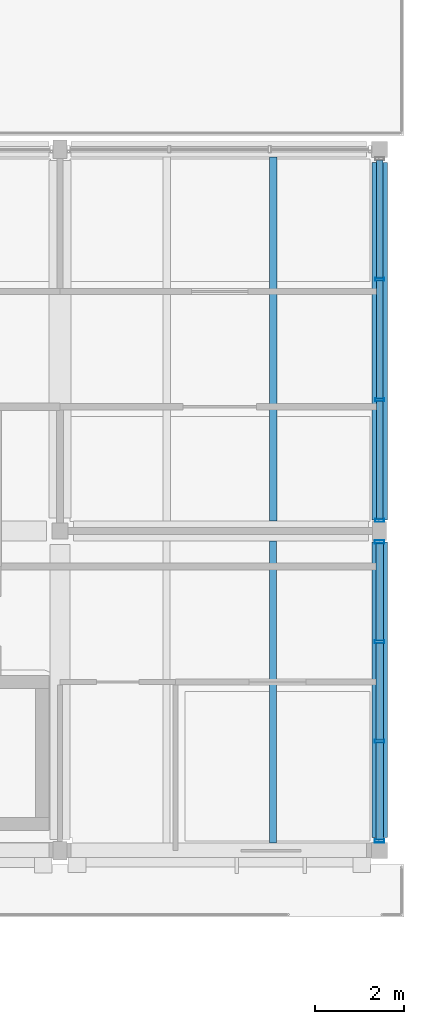
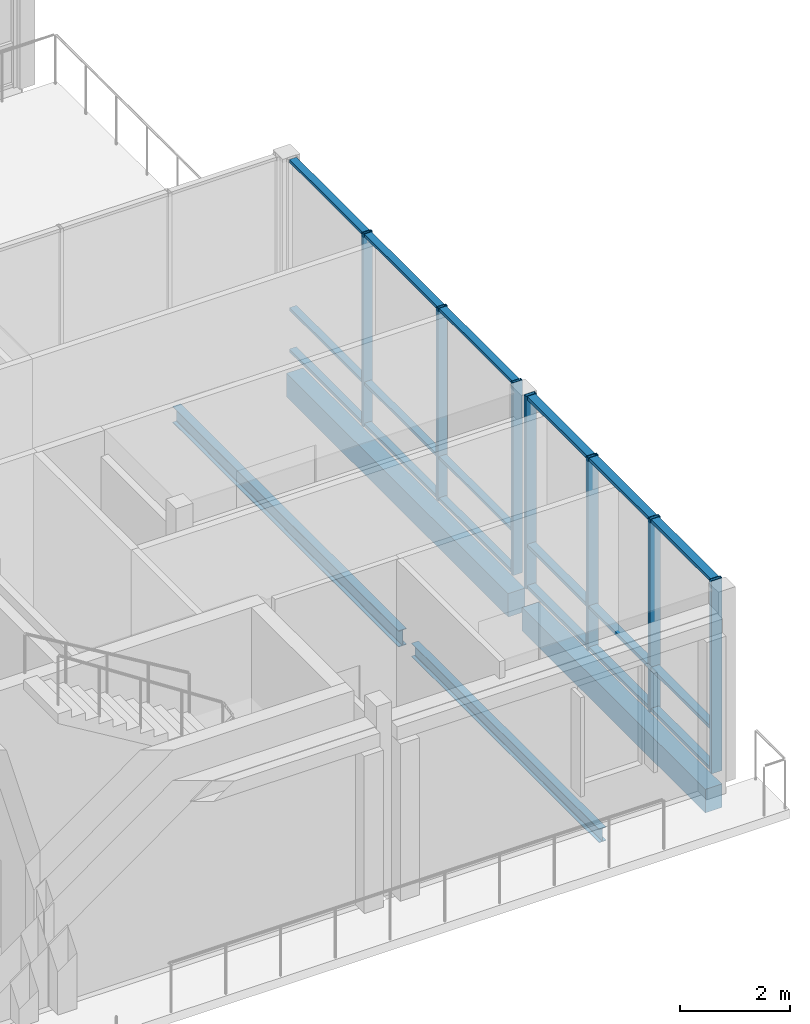
# One storey, part 87 of 146: 25 members, 4 beams, 2 elements without a shape of their own.
"""IFC4 building model written with IfcOpenShell, lengths in metres."""

from ifc_helpers import new_model, si_unit, direction, frame, origin, origin_2d, place, context, subcontext, project, spatial, rectangle, hollow_rectangle, i_section, extrude, material, material_profile, profile_set, type_object, element, aggregate, save


model = new_model("IFC4")

# Units and contexts
model_context = context("Model", 3, precision=1e-05, world=origin(), true_north=direction((0.0, 1.0)))
body_context = subcontext(model_context, "Body", "Model", "MODEL_VIEW")
ifc_project = project(units=[si_unit("LENGTHUNIT", "METRE"), si_unit("AREAUNIT", "SQUARE_METRE"), si_unit("VOLUMEUNIT", "CUBIC_METRE"), si_unit("PLANEANGLEUNIT", "RADIAN"), si_unit("MASSUNIT", "GRAM", prefix="KILO")], contexts=[model_context])

# Site, building, storey
site_placement = place(None, origin())
site = spatial("IfcSite", under=ifc_project, at=site_placement, CompositionType="ELEMENT")
building_placement = place(site_placement, origin())
building = spatial("IfcBuilding", under=site, at=building_placement, Name="Hawrajan Terrace Health Centre", CompositionType="ELEMENT")
storey_placement = place(building_placement, frame((0.0, 0.0, 4.5)))
storey = spatial("IfcBuildingStorey", under=building, at=storey_placement, Name="L01", CompositionType="ELEMENT", Elevation=4.5)

# Curtain wall, members
ifc_material_1 = material(Name="Anodized bronze aluminium and low-E solar glazing", Category="aluminium")
curtain_wall_type_1 = type_object("IfcCurtainWallType", Name="CW_Clerestory_SeriesG1", PredefinedType="USERDEFINED", material=ifc_material_1)
curtain_wall_1_placement = place(storey_placement, origin())
curtain_wall_1 = element("IfcCurtainWall", 1, at=curtain_wall_1_placement, inside=storey, type_object=curtain_wall_type_1, Name="Curtain wall CW-L01-112", ObjectType="UNITISED CURTAIN WALL", PredefinedType="USERDEFINED")
ifc_material_2 = material(Name="Anodized bronze aluminium 6063-T6", Category="aluminium")
ifc_material_profile_1 = material_profile(ifc_material_2, hollow_rectangle(XDim=0.06494140625, YDim=0.199951171875, WallThickness=0.00439453125, at=origin_2d()), Name="CW MUL 65x200")
ifc_profile_set_1 = profile_set([ifc_material_profile_1], Name="Anodized bronze aluminium 6063-T6")
member_type_1 = type_object("IfcMemberType", Name="CWMullion_65x200", PredefinedType="MULLION", material=ifc_profile_set_1)
member_1_placement = place(storey_placement, frame((165.39990234375, 18.842529296875, -0.0048828125), z_axis=(0.0, 0.0, 1.0), x_axis=(0.0, 1.0, 0.0)))
member_1 = element("IfcMember", 2, at=member_1_placement, type_object=member_type_1, Name="Mullion CW-L01-112-M1", PredefinedType="MULLION", context=body_context, shape_type="SweptSolid", body=[
    extrude(hollow_rectangle(XDim=0.06494140625, YDim=0.199951171875, WallThickness=0.00439453125, at=origin_2d()), origin(), (0.0, 0.0, 1.0), 4.269775390625),
])
member_2_placement = place(storey_placement, frame((165.39990234375, 21.5576171875, -0.0048828125), z_axis=(0.0, 0.0, 1.0), x_axis=(0.0, 1.0, 0.0)))
member_2 = element("IfcMember", 3, at=member_2_placement, type_object=member_type_1, Name="Mullion CW-L01-112-M2", PredefinedType="MULLION", context=body_context, shape_type="SweptSolid", body=[
    extrude(hollow_rectangle(XDim=0.06494140625, YDim=0.199951171875, WallThickness=0.00439453125, at=origin_2d()), origin(), (0.0, 0.0, 1.0), 4.269775390625),
])
member_3_placement = place(storey_placement, frame((165.39990234375, 24.2724609375, -0.0048828125), z_axis=(0.0, 0.0, 1.0), x_axis=(0.0, 1.0, 0.0)))
member_3 = element("IfcMember", 4, at=member_3_placement, type_object=member_type_1, Name="Mullion CW-L01-112-M3", PredefinedType="MULLION", context=body_context, shape_type="SweptSolid", body=[
    extrude(hollow_rectangle(XDim=0.06494140625, YDim=0.199951171875, WallThickness=0.00439453125, at=origin_2d()), origin(), (0.0, 0.0, 1.0), 4.269775390625),
])

curtain_wall_type_2 = type_object("IfcCurtainWallType", Name="CW_Garden_SeriesF1", PredefinedType="USERDEFINED", material=ifc_material_1)
curtain_wall_2_placement = place(storey_placement, origin())
curtain_wall_2 = element("IfcCurtainWall", 5, at=curtain_wall_2_placement, inside=storey, type_object=curtain_wall_type_2, Name="Curtain wall CW-L01-110", ObjectType="UNITISED CURTAIN WALL", PredefinedType="USERDEFINED")
ifc_material_profile_2 = material_profile(ifc_material_2, hollow_rectangle(XDim=0.074951171875, YDim=0.219970703125, WallThickness=0.0048828125, at=origin_2d()), Name="CW MUL 75x220")
ifc_profile_set_2 = profile_set([ifc_material_profile_2], Name="Anodized bronze aluminium 6063-T6")
member_type_2 = type_object("IfcMemberType", Name="CWMullion_75x220", PredefinedType="MULLION", material=ifc_profile_set_2)
member_4_placement = place(storey_placement, frame((165.39990234375, 11.617431640625, -0.0048828125), z_axis=(0.0, 0.0, 1.0), x_axis=(0.0, 1.0, 0.0)))
member_4 = element("IfcMember", 6, at=member_4_placement, type_object=member_type_2, Name="Mullion CW-L01-110-M1", PredefinedType="MULLION", context=body_context, shape_type="SweptSolid", body=[
    extrude(hollow_rectangle(XDim=0.074951171875, YDim=0.219970703125, WallThickness=0.0048828125, at=origin_2d()), origin(), (0.0, 0.0, 1.0), 4.269775390625),
])
member_5_placement = place(storey_placement, frame((165.39990234375, 13.862548828125, -0.0048828125), z_axis=(0.0, 0.0, 1.0), x_axis=(0.0, 1.0, 0.0)))
member_5 = element("IfcMember", 7, at=member_5_placement, type_object=member_type_2, Name="Mullion CW-L01-110-M2", PredefinedType="MULLION", context=body_context, shape_type="SweptSolid", body=[
    extrude(hollow_rectangle(XDim=0.074951171875, YDim=0.219970703125, WallThickness=0.0048828125, at=origin_2d()), origin(), (0.0, 0.0, 1.0), 4.269775390625),
])
member_6_placement = place(storey_placement, frame((165.39990234375, 16.107421875, -0.0048828125), z_axis=(0.0, 0.0, 1.0), x_axis=(0.0, 1.0, 0.0)))
member_6 = element("IfcMember", 8, at=member_6_placement, type_object=member_type_2, Name="Mullion CW-L01-110-M3", PredefinedType="MULLION", context=body_context, shape_type="SweptSolid", body=[
    extrude(hollow_rectangle(XDim=0.074951171875, YDim=0.219970703125, WallThickness=0.0048828125, at=origin_2d()), origin(), (0.0, 0.0, 1.0), 4.269775390625),
])
member_7_placement = place(storey_placement, frame((165.39990234375, 18.3525390625, -0.0048828125), z_axis=(0.0, 0.0, 1.0), x_axis=(0.0, 1.0, 0.0)))
member_7 = element("IfcMember", 9, at=member_7_placement, type_object=member_type_2, Name="Mullion CW-L01-110-M4", PredefinedType="MULLION", context=body_context, shape_type="SweptSolid", body=[
    extrude(hollow_rectangle(XDim=0.074951171875, YDim=0.219970703125, WallThickness=0.0048828125, at=origin_2d()), origin(), (0.0, 0.0, 1.0), 4.269775390625),
])

# Member
ifc_material_profile_3 = material_profile(ifc_material_2, hollow_rectangle(XDim=0.06494140625, YDim=0.14990234375, WallThickness=0.00390625, at=origin_2d()), Name="CW TRN 65x150")
ifc_profile_set_3 = profile_set([ifc_material_profile_3], Name="Anodized bronze aluminium 6063-T6")
member_type_3 = type_object("IfcMemberType", Name="CWTransom_65x150", PredefinedType="USERDEFINED", material=ifc_profile_set_3)
member_8_placement = place(storey_placement, frame((165.39990234375, 18.868896484375, 0.032470703125), z_axis=(0.0, 1.0, 0.0), x_axis=(0.0, 0.0, 1.0)))
member_8 = element("IfcMember", 10, at=member_8_placement, type_object=member_type_3, Name="Transom CW-L01-112-T1-1", ObjectType="TRANSOM", PredefinedType="USERDEFINED", context=body_context, shape_type="SweptSolid", body=[
    extrude(hollow_rectangle(XDim=0.06494140625, YDim=0.14990234375, WallThickness=0.00390625, at=origin_2d()), origin(), (0.0, 0.0, 1.0), 2.662109375),
])

member_9_placement = place(storey_placement, frame((165.39990234375, 18.868896484375, 0.949951171875), z_axis=(0.0, 1.0, 0.0), x_axis=(0.0, 0.0, 1.0)))
member_9 = element("IfcMember", 11, at=member_9_placement, type_object=member_type_3, Name="Transom CW-L01-112-T1-2", ObjectType="TRANSOM", PredefinedType="USERDEFINED", context=body_context, shape_type="SweptSolid", body=[
    extrude(hollow_rectangle(XDim=0.06494140625, YDim=0.14990234375, WallThickness=0.00390625, at=origin_2d()), origin(), (0.0, 0.0, 1.0), 2.662109375),
])

member_10_placement = place(storey_placement, frame((165.39990234375, 18.868896484375, 4.2275390625), z_axis=(0.0, 1.0, 0.0), x_axis=(0.0, 0.0, 1.0)))
member_10 = element("IfcMember", 12, at=member_10_placement, type_object=member_type_3, Name="Transom CW-L01-112-T1-3", ObjectType="TRANSOM", PredefinedType="USERDEFINED", context=body_context, shape_type="SweptSolid", body=[
    extrude(hollow_rectangle(XDim=0.06494140625, YDim=0.14990234375, WallThickness=0.00390625, at=origin_2d()), origin(), (0.0, 0.0, 1.0), 2.662109375),
])

member_11_placement = place(storey_placement, frame((165.39990234375, 21.583984375, 0.032470703125), z_axis=(0.0, 1.0, 0.0), x_axis=(0.0, 0.0, 1.0)))
member_11 = element("IfcMember", 13, at=member_11_placement, type_object=member_type_3, Name="Transom CW-L01-112-T2-1", ObjectType="TRANSOM", PredefinedType="USERDEFINED", context=body_context, shape_type="SweptSolid", body=[
    extrude(hollow_rectangle(XDim=0.06494140625, YDim=0.14990234375, WallThickness=0.00390625, at=origin_2d()), origin(), (0.0, 0.0, 1.0), 2.662109375),
])

member_12_placement = place(storey_placement, frame((165.39990234375, 21.583984375, 0.949951171875), z_axis=(0.0, 1.0, 0.0), x_axis=(0.0, 0.0, 1.0)))
member_12 = element("IfcMember", 14, at=member_12_placement, type_object=member_type_3, Name="Transom CW-L01-112-T2-2", ObjectType="TRANSOM", PredefinedType="USERDEFINED", context=body_context, shape_type="SweptSolid", body=[
    extrude(hollow_rectangle(XDim=0.06494140625, YDim=0.14990234375, WallThickness=0.00390625, at=origin_2d()), origin(), (0.0, 0.0, 1.0), 2.662109375),
])

member_13_placement = place(storey_placement, frame((165.39990234375, 21.583984375, 4.2275390625), z_axis=(0.0, 1.0, 0.0), x_axis=(0.0, 0.0, 1.0)))
member_13 = element("IfcMember", 15, at=member_13_placement, type_object=member_type_3, Name="Transom CW-L01-112-T2-3", ObjectType="TRANSOM", PredefinedType="USERDEFINED", context=body_context, shape_type="SweptSolid", body=[
    extrude(hollow_rectangle(XDim=0.06494140625, YDim=0.14990234375, WallThickness=0.00390625, at=origin_2d()), origin(), (0.0, 0.0, 1.0), 2.662109375),
])

member_14_placement = place(storey_placement, frame((165.39990234375, 24.299072265625, 0.032470703125), z_axis=(0.0, 1.0, 0.0), x_axis=(0.0, 0.0, 1.0)))
member_14 = element("IfcMember", 16, at=member_14_placement, type_object=member_type_3, Name="Transom CW-L01-112-T3-1", ObjectType="TRANSOM", PredefinedType="USERDEFINED", context=body_context, shape_type="SweptSolid", body=[
    extrude(hollow_rectangle(XDim=0.06494140625, YDim=0.14990234375, WallThickness=0.00390625, at=origin_2d()), origin(), (0.0, 0.0, 1.0), 2.661865234375),
])

member_15_placement = place(storey_placement, frame((165.39990234375, 24.299072265625, 0.949951171875), z_axis=(0.0, 1.0, 0.0), x_axis=(0.0, 0.0, 1.0)))
member_15 = element("IfcMember", 17, at=member_15_placement, type_object=member_type_3, Name="Transom CW-L01-112-T3-2", ObjectType="TRANSOM", PredefinedType="USERDEFINED", context=body_context, shape_type="SweptSolid", body=[
    extrude(hollow_rectangle(XDim=0.06494140625, YDim=0.14990234375, WallThickness=0.00390625, at=origin_2d()), origin(), (0.0, 0.0, 1.0), 2.661865234375),
])

member_16_placement = place(storey_placement, frame((165.39990234375, 24.299072265625, 4.2275390625), z_axis=(0.0, 1.0, 0.0), x_axis=(0.0, 0.0, 1.0)))
member_16 = element("IfcMember", 18, at=member_16_placement, type_object=member_type_3, Name="Transom CW-L01-112-T3-3", ObjectType="TRANSOM", PredefinedType="USERDEFINED", context=body_context, shape_type="SweptSolid", body=[
    extrude(hollow_rectangle(XDim=0.06494140625, YDim=0.14990234375, WallThickness=0.00390625, at=origin_2d()), origin(), (0.0, 0.0, 1.0), 2.661865234375),
])

aggregate(curtain_wall_1, [member_1, member_2, member_3, member_8, member_9, member_10, member_11, member_12, member_13, member_14, member_15, member_16])

ifc_material_profile_4 = material_profile(ifc_material_2, hollow_rectangle(XDim=0.074951171875, YDim=0.169921875, WallThickness=0.00439453125, at=origin_2d()), Name="CW TRN 75x170")
ifc_profile_set_4 = profile_set([ifc_material_profile_4], Name="Anodized bronze aluminium 6063-T6")
member_type_4 = type_object("IfcMemberType", Name="CWTransom_75x170", PredefinedType="USERDEFINED", material=ifc_profile_set_4)
member_17_placement = place(storey_placement, frame((165.39990234375, 11.64892578125, 0.03759765625), z_axis=(0.0, 1.0, 0.0), x_axis=(0.0, 0.0, 1.0)))
member_17 = element("IfcMember", 19, at=member_17_placement, type_object=member_type_4, Name="Transom CW-L01-110-T1-1", ObjectType="TRANSOM", PredefinedType="USERDEFINED", context=body_context, shape_type="SweptSolid", body=[
    extrude(hollow_rectangle(XDim=0.074951171875, YDim=0.169921875, WallThickness=0.00439453125, at=origin_2d()), origin(), (0.0, 0.0, 1.0), 2.18212890625),
])

member_18_placement = place(storey_placement, frame((165.39990234375, 11.64892578125, 0.949951171875), z_axis=(0.0, 1.0, 0.0), x_axis=(0.0, 0.0, 1.0)))
member_18 = element("IfcMember", 20, at=member_18_placement, type_object=member_type_4, Name="Transom CW-L01-110-T1-2", ObjectType="TRANSOM", PredefinedType="USERDEFINED", context=body_context, shape_type="SweptSolid", body=[
    extrude(hollow_rectangle(XDim=0.074951171875, YDim=0.169921875, WallThickness=0.00439453125, at=origin_2d()), origin(), (0.0, 0.0, 1.0), 2.18212890625),
])

member_19_placement = place(storey_placement, frame((165.39990234375, 11.64892578125, 4.222412109375), z_axis=(0.0, 1.0, 0.0), x_axis=(0.0, 0.0, 1.0)))
member_19 = element("IfcMember", 21, at=member_19_placement, type_object=member_type_4, Name="Transom CW-L01-110-T1-3", ObjectType="TRANSOM", PredefinedType="USERDEFINED", context=body_context, shape_type="SweptSolid", body=[
    extrude(hollow_rectangle(XDim=0.074951171875, YDim=0.169921875, WallThickness=0.00439453125, at=origin_2d()), origin(), (0.0, 0.0, 1.0), 2.18212890625),
])

member_20_placement = place(storey_placement, frame((165.39990234375, 13.89404296875, 0.03759765625), z_axis=(0.0, 1.0, 0.0), x_axis=(0.0, 0.0, 1.0)))
member_20 = element("IfcMember", 22, at=member_20_placement, type_object=member_type_4, Name="Transom CW-L01-110-T2-1", ObjectType="TRANSOM", PredefinedType="USERDEFINED", context=body_context, shape_type="SweptSolid", body=[
    extrude(hollow_rectangle(XDim=0.074951171875, YDim=0.169921875, WallThickness=0.00439453125, at=origin_2d()), origin(), (0.0, 0.0, 1.0), 2.181884765625),
])

member_21_placement = place(storey_placement, frame((165.39990234375, 13.89404296875, 0.949951171875), z_axis=(0.0, 1.0, 0.0), x_axis=(0.0, 0.0, 1.0)))
member_21 = element("IfcMember", 23, at=member_21_placement, type_object=member_type_4, Name="Transom CW-L01-110-T2-2", ObjectType="TRANSOM", PredefinedType="USERDEFINED", context=body_context, shape_type="SweptSolid", body=[
    extrude(hollow_rectangle(XDim=0.074951171875, YDim=0.169921875, WallThickness=0.00439453125, at=origin_2d()), origin(), (0.0, 0.0, 1.0), 2.181884765625),
])

member_22_placement = place(storey_placement, frame((165.39990234375, 13.89404296875, 4.222412109375), z_axis=(0.0, 1.0, 0.0), x_axis=(0.0, 0.0, 1.0)))
member_22 = element("IfcMember", 24, at=member_22_placement, type_object=member_type_4, Name="Transom CW-L01-110-T2-3", ObjectType="TRANSOM", PredefinedType="USERDEFINED", context=body_context, shape_type="SweptSolid", body=[
    extrude(hollow_rectangle(XDim=0.074951171875, YDim=0.169921875, WallThickness=0.00439453125, at=origin_2d()), origin(), (0.0, 0.0, 1.0), 2.181884765625),
])

member_23_placement = place(storey_placement, frame((165.39990234375, 16.138916015625, 0.03759765625), z_axis=(0.0, 1.0, 0.0), x_axis=(0.0, 0.0, 1.0)))
member_23 = element("IfcMember", 25, at=member_23_placement, type_object=member_type_4, Name="Transom CW-L01-110-T3-1", ObjectType="TRANSOM", PredefinedType="USERDEFINED", context=body_context, shape_type="SweptSolid", body=[
    extrude(hollow_rectangle(XDim=0.074951171875, YDim=0.169921875, WallThickness=0.00439453125, at=origin_2d()), origin(), (0.0, 0.0, 1.0), 2.18212890625),
])

member_24_placement = place(storey_placement, frame((165.39990234375, 16.138916015625, 0.949951171875), z_axis=(0.0, 1.0, 0.0), x_axis=(0.0, 0.0, 1.0)))
member_24 = element("IfcMember", 26, at=member_24_placement, type_object=member_type_4, Name="Transom CW-L01-110-T3-2", ObjectType="TRANSOM", PredefinedType="USERDEFINED", context=body_context, shape_type="SweptSolid", body=[
    extrude(hollow_rectangle(XDim=0.074951171875, YDim=0.169921875, WallThickness=0.00439453125, at=origin_2d()), origin(), (0.0, 0.0, 1.0), 2.18212890625),
])

member_25_placement = place(storey_placement, frame((165.39990234375, 16.138916015625, 4.222412109375), z_axis=(0.0, 1.0, 0.0), x_axis=(0.0, 0.0, 1.0)))
member_25 = element("IfcMember", 27, at=member_25_placement, type_object=member_type_4, Name="Transom CW-L01-110-T3-3", ObjectType="TRANSOM", PredefinedType="USERDEFINED", context=body_context, shape_type="SweptSolid", body=[
    extrude(hollow_rectangle(XDim=0.074951171875, YDim=0.169921875, WallThickness=0.00439453125, at=origin_2d()), origin(), (0.0, 0.0, 1.0), 2.18212890625),
])

aggregate(curtain_wall_2, [member_4, member_5, member_6, member_7, member_17, member_18, member_19, member_20, member_21, member_22, member_23, member_24, member_25])

# Beams
ifc_material_3 = material(Name="Concrete C40/50", Category="concrete")
ifc_material_profile_5 = material_profile(ifc_material_3, rectangle(XDim=0.35009765625, YDim=0.52001953125, at=origin_2d()), Name="RC SP 350x520")
ifc_profile_set_5 = profile_set([ifc_material_profile_5], Name="Concrete C40/50")
beam_type_1 = type_object("IfcBeamType", Name="RCSpandrel_350x520", PredefinedType="SPANDREL", material=ifc_profile_set_5)
beam_1_placement = place(storey_placement, frame((165.39990234375, 11.699951171875, -0.659912109375), z_axis=(0.0, 1.0, 0.0), x_axis=(-1.0, 0.0, 0.0)))
element("IfcBeam", 28, at=beam_1_placement, inside=storey, type_object=beam_type_1, Name="Beam BM-Y-L01-E-X22-2", PredefinedType="SPANDREL", context=body_context, shape_type="SweptSolid", body=[
    extrude(rectangle(XDim=0.35009765625, YDim=0.52001953125, at=origin_2d()), origin(), (0.0, 0.0, 1.0), 6.650146484375),
])
beam_2_placement = place(storey_placement, frame((165.39990234375, 18.85009765625, -0.659912109375), z_axis=(0.0, 1.0, 0.0), x_axis=(-1.0, 0.0, 0.0)))
element("IfcBeam", 29, at=beam_2_placement, inside=storey, type_object=beam_type_1, Name="Beam BM-Y-L01-E-X22-3", PredefinedType="SPANDREL", context=body_context, shape_type="SweptSolid", body=[
    extrude(rectangle(XDim=0.35009765625, YDim=0.52001953125, at=origin_2d()), origin(), (0.0, 0.0, 1.0), 8.0498046875),
])
ifc_material_4 = material(Name="Steel S355", Category="steel")
ifc_material_profile_6 = material_profile(ifc_material_4, i_section(OverallWidth=0.14990234375, OverallDepth=0.300048828125, WebThickness=0.007080078125, FlangeThickness=0.0107421875, FilletRadius=0.014892578125, at=origin_2d()), Name="IPE 300")
ifc_profile_set_6 = profile_set([ifc_material_profile_6], Name="Steel S355")
beam_type_2 = type_object("IfcBeamType", Name="SteelBeam_IPE300", PredefinedType="JOIST", material=ifc_profile_set_6)
beam_3_placement = place(storey_placement, frame((163.0, 11.574951171875, -0.550048828125), z_axis=(0.0, 1.0, 0.0), x_axis=(-1.0, 0.0, 0.0)))
element("IfcBeam", 30, at=beam_3_placement, inside=storey, type_object=beam_type_2, Name="Secondary joist JST-L01-E-21-2-2", PredefinedType="JOIST", context=body_context, shape_type="SweptSolid", body=[
    extrude(i_section(OverallWidth=0.14990234375, OverallDepth=0.300048828125, WebThickness=0.007080078125, FlangeThickness=0.0107421875, FilletRadius=0.014892578125, at=origin_2d()), origin(), (0.0, 0.0, 1.0), 6.800048828125),
])
ifc_material_profile_7 = material_profile(ifc_material_4, i_section(OverallWidth=0.169921875, OverallDepth=0.360107421875, WebThickness=0.008056640625, FlangeThickness=0.0126953125, FilletRadius=0.01806640625, at=origin_2d()), Name="IPE 360")
ifc_profile_set_7 = profile_set([ifc_material_profile_7], Name="Steel S355")
beam_type_3 = type_object("IfcBeamType", Name="SteelBeam_IPE360", PredefinedType="BEAM", material=ifc_profile_set_7)
beam_4_placement = place(storey_placement, frame((163.0, 18.824951171875, -0.580078125), z_axis=(0.0, 1.0, 0.0), x_axis=(-1.0, 0.0, 0.0)))
element("IfcBeam", 31, at=beam_4_placement, inside=storey, type_object=beam_type_3, Name="Secondary joist JST-L01-E-21-3-2", PredefinedType="BEAM", context=body_context, shape_type="SweptSolid", body=[
    extrude(i_section(OverallWidth=0.169921875, OverallDepth=0.360107421875, WebThickness=0.008056640625, FlangeThickness=0.0126953125, FilletRadius=0.01806640625, at=origin_2d()), origin(), (0.0, 0.0, 1.0), 8.199951171875),
])

save(model, "model.ifc")
